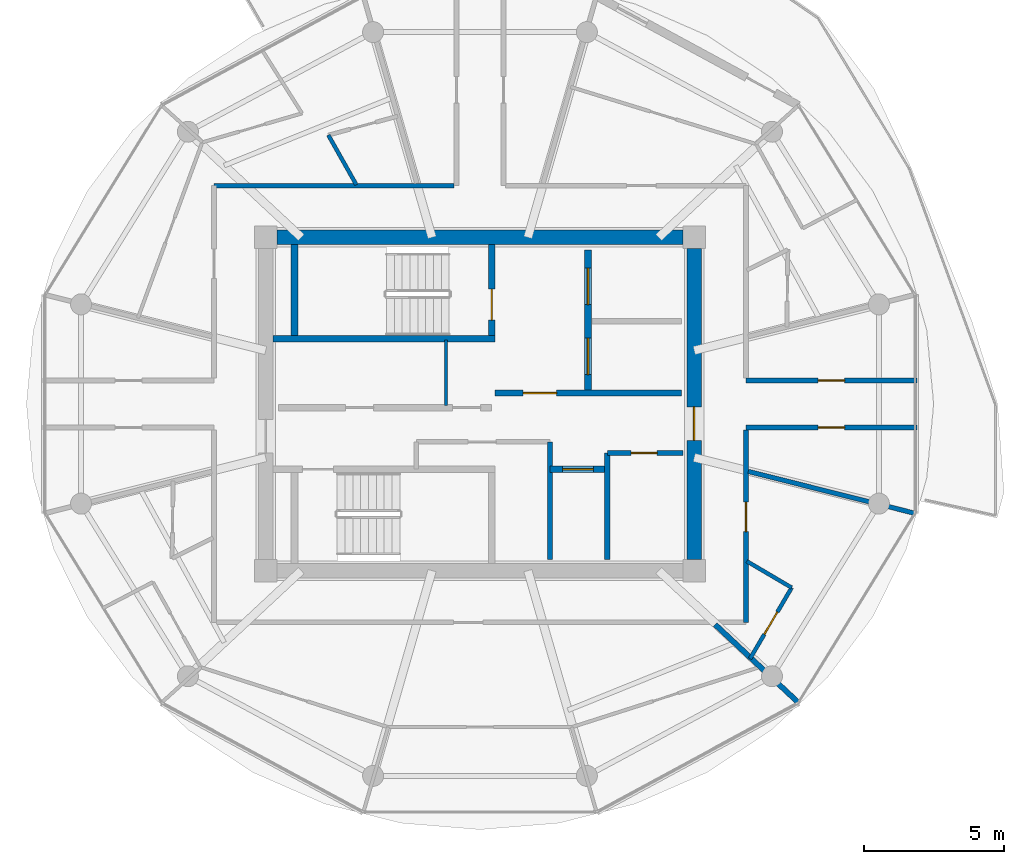
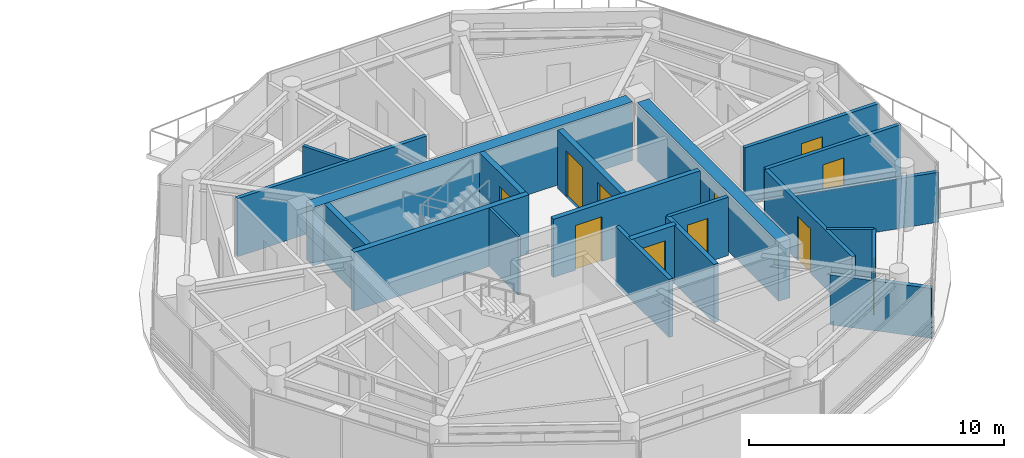
# One storey, part 13 of 19: 21 walls, 11 doors, 11 openings.
"""IFC4 building model written with IfcOpenShell, lengths in metres."""

from ifc_helpers import new_model, si_unit, direction, frame, frame_2d, origin, place, context, subcontext, project, spatial, rectangle, extrude, source, transform, mapped, material, layer, layer_set, type_object, type_shapes, element, fill, save


model = new_model("IFC4")

# Units and contexts
model_context = context("Model", 3, precision=1e-05, world=origin(), true_north=direction((0.0, 1.0)))
body_context = subcontext(model_context, "Body", "Model", "MODEL_VIEW")
ifc_project = project(units=[si_unit("LENGTHUNIT", "METRE"), si_unit("AREAUNIT", "SQUARE_METRE"), si_unit("VOLUMEUNIT", "CUBIC_METRE"), si_unit("PLANEANGLEUNIT", "RADIAN"), si_unit("MASSUNIT", "GRAM", prefix="KILO")], contexts=[model_context])

# Site, building, storey
site_placement = place(None, origin())
site = spatial("IfcSite", under=ifc_project, at=site_placement, CompositionType="ELEMENT")
building_placement = place(site_placement, origin())
building = spatial("IfcBuilding", under=site, at=building_placement, Name="Norrkilde Senior Care Towers", CompositionType="ELEMENT")
storey_placement = place(building_placement, frame((0.0, 0.0, 235.25)))
storey = spatial("IfcBuildingStorey", under=building, at=storey_placement, Name="L73", CompositionType="ELEMENT", Elevation=235.25)

# Wall
ifc_material_1 = material(Name="Concrete C50/60", Category="concrete")
ifc_layer_1 = layer(ifc_material_1, 0.52001953125)
ifc_layer_set_1 = layer_set([ifc_layer_1], Name="Concrete C50/60")
wall_type_1 = type_object("IfcWallType", Name="Core Shear Wall Z4 520", PredefinedType="SHEAR", material=ifc_layer_set_1)
shared_shape_1 = source(origin(), body_context, "Body", "SweptSolid", [
    extrude(rectangle(XDim=14.5, YDim=0.52001953125, at=frame_2d((7.25, 0.0))), origin(), (0.0, 0.0, 1.0), 2.81005859375),
])
wall_1_placement = place(storey_placement, frame((20.75, 5.949951171875, 0.0), z_axis=(0.0, 0.0, 1.0), x_axis=(1.0, 0.0, 0.0)))
element("IfcWall", 1, at=wall_1_placement, inside=storey, type_object=wall_type_1, Name="L73 Core E North Shear Wall", PredefinedType="SHEAR", context=body_context, shape_type="MappedRepresentation", body=[
    mapped(shared_shape_1, transform((0.0, 0.0, 0.0), x_axis=(1.0, 0.0, 0.0), y_axis=(0.0, 1.0, 0.0), z_axis=(0.0, 0.0, 1.0), scale=1.0)),
])

# Wall, opening, door
shared_shape_2 = source(origin(), body_context, "Body", "SweptSolid", [
    extrude(rectangle(XDim=11.10009765625, YDim=0.52001953125, at=frame_2d((5.550048828125, 0.0))), origin(), (0.0, 0.0, 1.0), 2.81005859375),
])
type_shapes(wall_type_1, [shared_shape_1, shared_shape_2])
wall_2_placement = place(storey_placement, frame((35.64990234375, 5.550048828125, 0.0), z_axis=(0.0, 0.0, 1.0), x_axis=(0.0, -1.0, 0.0)))
wall_2 = element("IfcWall", 2, at=wall_2_placement, inside=storey, type_object=wall_type_1, Name="L73 Core E East Shear Wall", PredefinedType="SHEAR", context=body_context, shape_type="MappedRepresentation", body=[
    mapped(shared_shape_2, transform((0.0, 0.0, 0.0), x_axis=(1.0, 0.0, 0.0), y_axis=(0.0, 1.0, 0.0), z_axis=(0.0, 0.0, 1.0), scale=1.0)),
])
opening_1_placement = place(wall_2_placement, frame((5.64990234375, 0.0, 0.0)))
opening_1 = element("IfcOpeningElement", 3, at=opening_1_placement, cuts=wall_2, Name="Opening D-04", PredefinedType="OPENING", context=body_context, shape_type="SweptSolid", body=[
    extrude(rectangle(XDim=1.199951171875, YDim=2.14990234375, at=frame_2d((0.60009765625, 1.074951171875))), frame((0.0, 0.27001953125, 0.0), z_axis=(0.0, -1.0, 0.0), x_axis=(1.0, 0.0, 0.0)), (0.0, 0.0, 1.0), 0.5400390625),
])
ifc_material_2 = material(Name="Galvanised Painted Steel", Category="steel")
door_type_1 = type_object("IfcDoorType", Name="Firefighting Lobby Fire Door 1200x2150", OperationType="NOTDEFINED", PredefinedType="DOOR", material=ifc_material_2)
shared_shape_3 = source(origin(), body_context, "Body", "SweptSolid", [
    extrude(rectangle(XDim=1.199951171875, YDim=2.14990234375, at=frame_2d((0.60009765625, 1.074951171875))), frame((0.0, 0.02490234375, 0.0), z_axis=(0.0, -1.0, 0.0), x_axis=(1.0, 0.0, 0.0)), (0.0, 0.0, 1.0), 0.050048828125),
])
type_shapes(door_type_1, [shared_shape_3])
door_1_placement = place(opening_1_placement, frame((1.199951171875, 0.0, 0.0), z_axis=(0.0, 0.0, 1.0), x_axis=(-1.0, 0.0, 0.0)))
door_1 = element("IfcDoor", 4, at=door_1_placement, inside=storey, type_object=door_type_1, Name="L73 Core E East Portal Door", OperationType="SINGLE_SWING_RIGHT", OverallHeight=2.14990234375, OverallWidth=1.199951171875, PredefinedType="DOOR", context=body_context, shape_type="MappedRepresentation", body=[
    mapped(shared_shape_3, transform((0.0, 0.0, 0.0), x_axis=(1.0, 0.0, 0.0), y_axis=(0.0, 1.0, 0.0), z_axis=(0.0, 0.0, 1.0), scale=1.0)),
])
fill(opening_1, door_1)

# Wall, openings, doors
ifc_material_3 = material(Name="Concrete C45/55", Category="concrete")
ifc_layer_2 = layer(ifc_material_3, 0.239990234375)
ifc_layer_set_2 = layer_set([ifc_layer_2], Name="Concrete C45/55")
wall_type_2 = type_object("IfcWallType", Name="Lift and Plant Rated Enclosure Partition 240", PredefinedType="PARTITIONING", material=ifc_layer_set_2)
shared_shape_4 = source(origin(), body_context, "Body", "SweptSolid", [
    extrude(rectangle(XDim=5.0, YDim=0.239990234375, at=frame_2d((2.5, 0.0))), origin(), (0.0, 0.0, 1.0), 2.794921875),
])
wall_3_placement = place(storey_placement, frame((31.860107421875, 0.5, 0.0), z_axis=(0.0, 0.0, 1.0), x_axis=(0.0, 1.0, 0.0)))
wall_3 = element("IfcWall", 5, at=wall_3_placement, inside=storey, type_object=wall_type_2, Name="WL-INT-L73-E-FFLE", PredefinedType="PARTITIONING", context=body_context, shape_type="MappedRepresentation", body=[
    mapped(shared_shape_4, transform((0.0, 0.0, 0.0), x_axis=(1.0, 0.0, 0.0), y_axis=(0.0, 1.0, 0.0), z_axis=(0.0, 0.0, 1.0), scale=1.0)),
])
opening_2_placement = place(wall_3_placement, frame((3.050048828125, 0.0, 0.0)))
opening_2 = element("IfcOpeningElement", 6, at=opening_2_placement, cuts=wall_3, Name="Opening LD-02", PredefinedType="OPENING", context=body_context, shape_type="SweptSolid", body=[
    extrude(rectangle(XDim=1.300048828125, YDim=2.199951171875, at=frame_2d((0.64990234375, 1.10009765625))), frame((0.0, 0.1298828125, 0.0), z_axis=(0.0, -1.0, 0.0), x_axis=(1.0, 0.0, 0.0)), (0.0, 0.0, 1.0), 0.260009765625),
])
opening_3_placement = place(wall_3_placement, frame((0.550048828125, 0.0, 0.0)))
opening_3 = element("IfcOpeningElement", 7, at=opening_3_placement, cuts=wall_3, Name="Opening LD-02", PredefinedType="OPENING", context=body_context, shape_type="SweptSolid", body=[
    extrude(rectangle(XDim=1.300048828125, YDim=2.199951171875, at=frame_2d((0.64990234375, 1.10009765625))), frame((0.0, 0.1298828125, 0.0), z_axis=(0.0, -1.0, 0.0), x_axis=(1.0, 0.0, 0.0)), (0.0, 0.0, 1.0), 0.260009765625),
])
ifc_material_4 = material(Name="Stainless Steel", Category="steel")
door_type_2 = type_object("IfcDoorType", Name="Stretcher and FFL Landing Sliding Door 1300x2200", OperationType="NOTDEFINED", PredefinedType="DOOR", material=ifc_material_4)
shared_shape_5 = source(origin(), body_context, "Body", "SweptSolid", [
    extrude(rectangle(XDim=1.300048828125, YDim=2.199951171875, at=frame_2d((0.64990234375, 1.10009765625))), frame((0.0, 0.02490234375, 0.0), z_axis=(0.0, -1.0, 0.0), x_axis=(1.0, 0.0, 0.0)), (0.0, 0.0, 1.0), 0.050048828125),
])
type_shapes(door_type_2, [shared_shape_5])
door_2_placement = place(opening_2_placement, origin())
door_2 = element("IfcDoor", 8, at=door_2_placement, inside=storey, type_object=door_type_2, Name="L73 Firefighting Lift E1 Landing Door", OperationType="SLIDING_TO_LEFT", OverallHeight=2.199951171875, OverallWidth=1.300048828125, PredefinedType="DOOR", context=body_context, shape_type="MappedRepresentation", body=[
    mapped(shared_shape_5, transform((0.0, 0.0, 0.0), x_axis=(1.0, 0.0, 0.0), y_axis=(0.0, 1.0, 0.0), z_axis=(0.0, 0.0, 1.0), scale=1.0)),
])
fill(opening_2, door_2)
door_3_placement = place(opening_3_placement, origin())
door_3 = element("IfcDoor", 9, at=door_3_placement, inside=storey, type_object=door_type_2, Name="L73 Stretcher Lift E1 Landing Door", OperationType="SLIDING_TO_RIGHT", OverallHeight=2.199951171875, OverallWidth=1.300048828125, PredefinedType="DOOR", context=body_context, shape_type="MappedRepresentation", body=[
    mapped(shared_shape_5, transform((0.0, 0.0, 0.0), x_axis=(1.0, 0.0, 0.0), y_axis=(0.0, 1.0, 0.0), z_axis=(0.0, 0.0, 1.0), scale=1.0)),
])
fill(opening_3, door_3)

# Wall, opening, door
ifc_layer_3 = layer(ifc_material_3, 0.2099609375)
ifc_layer_set_3 = layer_set([ifc_layer_3], Name="Concrete C45/55")
wall_type_3 = type_object("IfcWallType", Name="Firefighting Lobby Wall 210", PredefinedType="PARTITIONING", material=ifc_layer_set_3)
shared_shape_6 = source(origin(), body_context, "Body", "SweptSolid", [
    extrude(rectangle(XDim=6.659912109375, YDim=0.2099609375, at=frame_2d((3.330078125, 0.0))), origin(), (0.0, 0.0, 1.0), 2.794921875),
])
type_shapes(wall_type_3, [shared_shape_6])
wall_4_placement = place(storey_placement, frame((28.5400390625, 0.389892578125, 0.0), z_axis=(0.0, 0.0, 1.0), x_axis=(1.0, 0.0, 0.0)))
wall_4 = element("IfcWall", 10, at=wall_4_placement, inside=storey, type_object=wall_type_3, Name="WL-INT-L73-E-FFLS", PredefinedType="PARTITIONING", context=body_context, shape_type="MappedRepresentation", body=[
    mapped(shared_shape_6, transform((0.0, 0.0, 0.0), x_axis=(1.0, 0.0, 0.0), y_axis=(0.0, 1.0, 0.0), z_axis=(0.0, 0.0, 1.0), scale=1.0)),
])
opening_4_placement = place(wall_4_placement, frame((1.0, 0.0, 0.0)))
opening_4 = element("IfcOpeningElement", 11, at=opening_4_placement, cuts=wall_4, Name="Opening D-04", PredefinedType="OPENING", context=body_context, shape_type="SweptSolid", body=[
    extrude(rectangle(XDim=1.199951171875, YDim=2.14990234375, at=frame_2d((0.60009765625, 1.074951171875))), frame((0.0, 0.114990234375, 0.0), z_axis=(0.0, -1.0, 0.0), x_axis=(1.0, 0.0, 0.0)), (0.0, 0.0, 1.0), 0.22998046875),
])
door_4_placement = place(opening_4_placement, frame((1.199951171875, 0.0, 0.0), z_axis=(0.0, 0.0, 1.0), x_axis=(-1.0, 0.0, 0.0)))
door_4 = element("IfcDoor", 12, at=door_4_placement, inside=storey, type_object=door_type_1, Name="L73 Firefighting Lobby E Door", OperationType="SINGLE_SWING_LEFT", OverallHeight=2.14990234375, OverallWidth=1.199951171875, PredefinedType="DOOR", context=body_context, shape_type="MappedRepresentation", body=[
    mapped(shared_shape_3, transform((0.0, 0.0, 0.0), x_axis=(1.0, 0.0, 0.0), y_axis=(0.0, 1.0, 0.0), z_axis=(0.0, 0.0, 1.0), scale=1.0)),
])
fill(opening_4, door_4)

# Walls
ifc_material_5 = material(Name="Gypsum Acoustic Board")
ifc_layer_4 = layer(ifc_material_5, 0.114990234375)
ifc_layer_set_4 = layer_set([ifc_layer_4], Name="Gypsum Acoustic Board")
wall_type_4 = type_object("IfcWallType", Name="Internal Room Partition 115", PredefinedType="PARTITIONING", material=ifc_layer_set_4)
shared_shape_7 = source(origin(), body_context, "Body", "SweptSolid", [
    extrude(rectangle(XDim=2.330078125, YDim=0.114990234375, at=frame_2d((1.1650390625, 0.0))), origin(), (0.0, 0.0, 1.0), 2.794921875),
])
type_shapes(wall_type_4, [shared_shape_7])
wall_5_placement = place(storey_placement, frame((26.7900390625, -0.050048828125, 0.0), z_axis=(0.0, 0.0, 1.0), x_axis=(0.0, 1.0, 0.0)))
element("IfcWall", 13, at=wall_5_placement, inside=storey, type_object=wall_type_4, Name="WL-INT-L73-E-RISW", PredefinedType="PARTITIONING", context=body_context, shape_type="MappedRepresentation", body=[
    mapped(shared_shape_7, transform((0.0, 0.0, 0.0), x_axis=(1.0, 0.0, 0.0), y_axis=(0.0, 1.0, 0.0), z_axis=(0.0, 0.0, 1.0), scale=1.0)),
])
ifc_layer_5 = layer(ifc_material_3, 0.199951171875)
ifc_layer_set_5 = layer_set([ifc_layer_5], Name="Concrete C45/55")
wall_type_5 = type_object("IfcWallType", Name="Shaft Division and Plant Partition 200", PredefinedType="PARTITIONING", material=ifc_layer_set_5)
shared_shape_8 = source(origin(), body_context, "Body", "SweptSolid", [
    extrude(rectangle(XDim=3.800048828125, YDim=0.199951171875, at=frame_2d((1.89990234375, 0.0))), origin(), (0.0, 0.0, 1.0), 2.794921875),
])
type_shapes(wall_type_5, [shared_shape_8])
wall_6_placement = place(storey_placement, frame((32.550048828125, -5.550048828125, 0.0), z_axis=(0.0, 0.0, 1.0), x_axis=(0.0, 1.0, 0.0)))
element("IfcWall", 14, at=wall_6_placement, inside=storey, type_object=wall_type_5, Name="WL-INT-L73-E-PKBE", PredefinedType="PARTITIONING", context=body_context, shape_type="MappedRepresentation", body=[
    mapped(shared_shape_8, transform((0.0, 0.0, 0.0), x_axis=(1.0, 0.0, 0.0), y_axis=(0.0, 1.0, 0.0), z_axis=(0.0, 0.0, 1.0), scale=1.0)),
])

# Wall, opening, door
ifc_layer_6 = layer(ifc_material_5, 0.1650390625)
ifc_layer_set_6 = layer_set([ifc_layer_6], Name="Gypsum Acoustic Board")
wall_type_6 = type_object("IfcWallType", Name="Corridor Rated Partition 165", PredefinedType="PARTITIONING", material=ifc_layer_set_6)
shared_shape_9 = source(origin(), body_context, "Body", "SweptSolid", [
    extrude(rectangle(XDim=2.699951171875, YDim=0.1650390625, at=frame_2d((1.35009765625, 0.0))), origin(), (0.0, 0.0, 1.0), 2.794921875),
])
wall_7_placement = place(storey_placement, frame((32.550048828125, -1.75, 0.0), z_axis=(0.0, 0.0, 1.0), x_axis=(1.0, 0.0, 0.0)))
wall_7 = element("IfcWall", 15, at=wall_7_placement, inside=storey, type_object=wall_type_6, Name="WL-INT-L73-E-CSN", PredefinedType="PARTITIONING", context=body_context, shape_type="MappedRepresentation", body=[
    mapped(shared_shape_9, transform((0.0, 0.0, 0.0), x_axis=(1.0, 0.0, 0.0), y_axis=(0.0, 1.0, 0.0), z_axis=(0.0, 0.0, 1.0), scale=1.0)),
])
opening_5_placement = place(wall_7_placement, frame((0.85009765625, 0.0, 0.0)))
opening_5 = element("IfcOpeningElement", 16, at=opening_5_placement, cuts=wall_7, Name="Opening D-12", PredefinedType="OPENING", context=body_context, shape_type="SweptSolid", body=[
    extrude(rectangle(XDim=0.925048828125, YDim=2.10009765625, at=frame_2d((0.46240234375, 1.050048828125))), frame((0.0, 0.092529296875, 0.0), z_axis=(0.0, -1.0, 0.0), x_axis=(1.0, 0.0, 0.0)), (0.0, 0.0, 1.0), 0.18505859375),
])
door_type_3 = type_object("IfcDoorType", Name="Core Wet Room Rated Door 925x2100", OperationType="NOTDEFINED", PredefinedType="DOOR", material=ifc_material_2)
shared_shape_10 = source(origin(), body_context, "Body", "SweptSolid", [
    extrude(rectangle(XDim=0.925048828125, YDim=2.10009765625, at=frame_2d((0.46240234375, 1.050048828125))), frame((0.0, 0.02490234375, 0.0), z_axis=(0.0, -1.0, 0.0), x_axis=(1.0, 0.0, 0.0)), (0.0, 0.0, 1.0), 0.050048828125),
])
type_shapes(door_type_3, [shared_shape_10])
door_5_placement = place(opening_5_placement, origin())
door_5 = element("IfcDoor", 17, at=door_5_placement, inside=storey, type_object=door_type_3, Name="L73 Core Utility E Door", OperationType="SINGLE_SWING_LEFT", OverallHeight=2.10009765625, OverallWidth=0.925048828125, PredefinedType="DOOR", context=body_context, shape_type="MappedRepresentation", body=[
    mapped(shared_shape_10, transform((0.0, 0.0, 0.0), x_axis=(1.0, 0.0, 0.0), y_axis=(0.0, 1.0, 0.0), z_axis=(0.0, 0.0, 1.0), scale=1.0)),
])
fill(opening_5, door_5)

shared_shape_11 = source(origin(), body_context, "Body", "SweptSolid", [
    extrude(rectangle(XDim=2.050048828125, YDim=0.239990234375, at=frame_2d((1.02490234375, 0.0))), origin(), (0.0, 0.0, 1.0), 2.794921875),
])
type_shapes(wall_type_2, [shared_shape_4, shared_shape_11])
wall_8_placement = place(storey_placement, frame((30.5, -2.330078125, 0.0), z_axis=(0.0, 0.0, 1.0), x_axis=(1.0, 0.0, 0.0)))
wall_8 = element("IfcWall", 18, at=wall_8_placement, inside=storey, type_object=wall_type_2, Name="WL-INT-L73-E-PL4N", PredefinedType="PARTITIONING", context=body_context, shape_type="MappedRepresentation", body=[
    mapped(shared_shape_11, transform((0.0, 0.0, 0.0), x_axis=(1.0, 0.0, 0.0), y_axis=(0.0, 1.0, 0.0), z_axis=(0.0, 0.0, 1.0), scale=1.0)),
])
opening_6_placement = place(wall_8_placement, frame((0.449951171875, 0.0, 0.0)))
opening_6 = element("IfcOpeningElement", 19, at=opening_6_placement, cuts=wall_8, Name="Opening LD-01", PredefinedType="OPENING", context=body_context, shape_type="SweptSolid", body=[
    extrude(rectangle(XDim=1.10009765625, YDim=2.199951171875, at=frame_2d((0.550048828125, 1.10009765625))), frame((0.0, 0.1298828125, 0.0), z_axis=(0.0, -1.0, 0.0), x_axis=(1.0, 0.0, 0.0)), (0.0, 0.0, 1.0), 0.260009765625),
])
door_type_4 = type_object("IfcDoorType", Name="Lift Landing Sliding Door 1100x2200", OperationType="NOTDEFINED", PredefinedType="DOOR", material=ifc_material_4)
shared_shape_12 = source(origin(), body_context, "Body", "SweptSolid", [
    extrude(rectangle(XDim=1.10009765625, YDim=2.199951171875, at=frame_2d((0.550048828125, 1.10009765625))), frame((0.0, 0.02490234375, 0.0), z_axis=(0.0, -1.0, 0.0), x_axis=(1.0, 0.0, 0.0)), (0.0, 0.0, 1.0), 0.050048828125),
])
type_shapes(door_type_4, [shared_shape_12])
door_6_placement = place(opening_6_placement, frame((1.10009765625, 0.0, 0.0), z_axis=(0.0, 0.0, 1.0), x_axis=(-1.0, 0.0, 0.0)))
door_6 = element("IfcDoor", 20, at=door_6_placement, inside=storey, type_object=door_type_4, Name="L73 Passenger Lift E4 Landing Door", OperationType="SLIDING_TO_RIGHT", OverallHeight=2.199951171875, OverallWidth=1.10009765625, PredefinedType="DOOR", context=body_context, shape_type="MappedRepresentation", body=[
    mapped(shared_shape_12, transform((0.0, 0.0, 0.0), x_axis=(1.0, 0.0, 0.0), y_axis=(0.0, 1.0, 0.0), z_axis=(0.0, 0.0, 1.0), scale=1.0)),
])
fill(opening_6, door_6)

# Walls
ifc_layer_7 = layer(ifc_material_3, 0.179931640625)
ifc_layer_set_7 = layer_set([ifc_layer_7], Name="Concrete C45/55")
wall_type_7 = type_object("IfcWallType", Name="Hoistway Division Rated Partition 180", PredefinedType="PARTITIONING", material=ifc_layer_set_7)
shared_shape_13 = source(origin(), body_context, "Body", "SweptSolid", [
    extrude(rectangle(XDim=4.199951171875, YDim=0.179931640625, at=frame_2d((2.10009765625, 0.0))), origin(), (0.0, 0.0, 1.0), 2.794921875),
])
type_shapes(wall_type_7, [shared_shape_13])
wall_9_placement = place(storey_placement, frame((30.5, -5.550048828125, 0.0), z_axis=(0.0, 0.0, 1.0), x_axis=(0.0, 1.0, 0.0)))
element("IfcWall", 21, at=wall_9_placement, inside=storey, type_object=wall_type_7, Name="WL-INT-L73-E-PL4W", PredefinedType="PARTITIONING", context=body_context, shape_type="MappedRepresentation", body=[
    mapped(shared_shape_13, transform((0.0, 0.0, 0.0), x_axis=(1.0, 0.0, 0.0), y_axis=(0.0, 1.0, 0.0), z_axis=(0.0, 0.0, 1.0), scale=1.0)),
])
shared_shape_14 = source(origin(), body_context, "Body", "SweptSolid", [
    extrude(rectangle(XDim=8.580078125, YDim=0.1650390625, at=frame_2d((4.2900390625, 0.0))), origin(), (0.0, 0.0, 1.0), 2.794921875),
])
wall_10_placement = place(storey_placement, frame((18.5, 7.800048828125, 0.0), z_axis=(0.0, 0.0, 1.0), x_axis=(1.0, 0.0, 0.0)))
element("IfcWall", 22, at=wall_10_placement, inside=storey, type_object=wall_type_6, Name="WL-INT-L73-E-CRW-N-0", PredefinedType="PARTITIONING", context=body_context, shape_type="MappedRepresentation", body=[
    mapped(shared_shape_14, transform((0.0, 0.0, 0.0), x_axis=(1.0, 0.0, 0.0), y_axis=(0.0, 1.0, 0.0), z_axis=(0.0, 0.0, 1.0), scale=1.0)),
])

# Wall, opening, door
shared_shape_15 = source(origin(), body_context, "Body", "SweptSolid", [
    extrude(rectangle(XDim=6.880126953125, YDim=0.1650390625, at=frame_2d((3.43994140625, 0.0))), origin(), (0.0, 0.0, 1.0), 2.794921875),
])
wall_11_placement = place(storey_placement, frame((37.5, -0.919921875, 0.0), z_axis=(0.0, 0.0, 1.0), x_axis=(0.0, -1.0, 0.0)))
wall_11 = element("IfcWall", 23, at=wall_11_placement, inside=storey, type_object=wall_type_6, Name="WL-INT-L73-E-CRW-E-1", PredefinedType="PARTITIONING", context=body_context, shape_type="MappedRepresentation", body=[
    mapped(shared_shape_15, transform((0.0, 0.0, 0.0), x_axis=(1.0, 0.0, 0.0), y_axis=(0.0, 1.0, 0.0), z_axis=(0.0, 0.0, 1.0), scale=1.0)),
])
opening_7_placement = place(wall_11_placement, frame((2.5859375, 0.0, 0.0)))
opening_7 = element("IfcOpeningElement", 24, at=opening_7_placement, cuts=wall_11, Name="Opening D-06", PredefinedType="OPENING", context=body_context, shape_type="SweptSolid", body=[
    extrude(rectangle(XDim=1.050048828125, YDim=2.14990234375, at=frame_2d((0.52490234375, 1.074951171875))), frame((0.0, 0.092529296875, 0.0), z_axis=(0.0, -1.0, 0.0), x_axis=(1.0, 0.0, 0.0)), (0.0, 0.0, 1.0), 0.18505859375),
])
ifc_material_6 = material(Name="Nordic Ash Timber", Category="wood")
door_type_5 = type_object("IfcDoorType", Name="Apartment Entrance Fire Door 1050x2150", OperationType="NOTDEFINED", PredefinedType="DOOR", material=ifc_material_6)
shared_shape_16 = source(origin(), body_context, "Body", "SweptSolid", [
    extrude(rectangle(XDim=1.050048828125, YDim=2.14990234375, at=frame_2d((0.52490234375, 1.074951171875))), frame((0.0, 0.02490234375, 0.0), z_axis=(0.0, -1.0, 0.0), x_axis=(1.0, 0.0, 0.0)), (0.0, 0.0, 1.0), 0.050048828125),
])
type_shapes(door_type_5, [shared_shape_16])
door_7_placement = place(opening_7_placement, frame((1.050048828125, 0.0, 0.0), z_axis=(0.0, 0.0, 1.0), x_axis=(-1.0, 0.0, 0.0)))
door_7 = element("IfcDoor", 25, at=door_7_placement, inside=storey, type_object=door_type_5, Name="L73 Studio 73D Entrance Door", OperationType="SINGLE_SWING_RIGHT", OverallHeight=2.14990234375, OverallWidth=1.050048828125, PredefinedType="DOOR", context=body_context, shape_type="MappedRepresentation", body=[
    mapped(shared_shape_16, transform((0.0, 0.0, 0.0), x_axis=(1.0, 0.0, 0.0), y_axis=(0.0, 1.0, 0.0), z_axis=(0.0, 0.0, 1.0), scale=1.0)),
])
fill(opening_7, door_7)

# Walls
ifc_layer_8 = layer(ifc_material_3, 0.239990234375)
ifc_layer_set_8 = layer_set([ifc_layer_8], Name="Concrete C45/55")
wall_type_8 = type_object("IfcWallType", Name="Shaft and Stair Enclosure Wall 240", PredefinedType="PARTITIONING", material=ifc_layer_set_8)
shared_shape_17 = source(origin(), body_context, "Body", "SweptSolid", [
    extrude(rectangle(XDim=7.929931640625, YDim=0.239990234375, at=frame_2d((3.96484375, 0.0))), origin(), (0.0, 0.0, 1.0), 2.81005859375),
])
wall_12_placement = place(storey_placement, frame((20.610107421875, 2.330078125, 0.0), z_axis=(0.0, 0.0, 1.0), x_axis=(1.0, 0.0, 0.0)))
element("IfcWall", 26, at=wall_12_placement, inside=storey, type_object=wall_type_8, Name="WL-INT-L73-E-ST1S", PredefinedType="PARTITIONING", context=body_context, shape_type="MappedRepresentation", body=[
    mapped(shared_shape_17, transform((0.0, 0.0, 0.0), x_axis=(1.0, 0.0, 0.0), y_axis=(0.0, 1.0, 0.0), z_axis=(0.0, 0.0, 1.0), scale=1.0)),
])
shared_shape_18 = source(origin(), body_context, "Body", "SweptSolid", [
    extrude(rectangle(XDim=3.239990234375, YDim=0.239990234375, at=frame_2d((1.6201171875, 0.0))), origin(), (0.0, 0.0, 1.0), 2.81005859375),
])
type_shapes(wall_type_8, [shared_shape_17, shared_shape_18])
wall_13_placement = place(storey_placement, frame((21.3798828125, 2.449951171875, 0.0), z_axis=(0.0, 0.0, 1.0), x_axis=(0.0, 1.0, 0.0)))
element("IfcWall", 27, at=wall_13_placement, inside=storey, type_object=wall_type_8, Name="WL-INT-L73-E-ST1W", PredefinedType="PARTITIONING", context=body_context, shape_type="MappedRepresentation", body=[
    mapped(shared_shape_18, transform((0.0, 0.0, 0.0), x_axis=(1.0, 0.0, 0.0), y_axis=(0.0, 1.0, 0.0), z_axis=(0.0, 0.0, 1.0), scale=1.0)),
])

# Wall, opening, door
wall_14_placement = place(storey_placement, frame((28.419921875, 2.449951171875, 0.0), z_axis=(0.0, 0.0, 1.0), x_axis=(0.0, 1.0, 0.0)))
wall_14 = element("IfcWall", 28, at=wall_14_placement, inside=storey, type_object=wall_type_8, Name="WL-INT-L73-E-ST1E", PredefinedType="PARTITIONING", context=body_context, shape_type="MappedRepresentation", body=[
    mapped(shared_shape_18, transform((0.0, 0.0, 0.0), x_axis=(1.0, 0.0, 0.0), y_axis=(0.0, 1.0, 0.0), z_axis=(0.0, 0.0, 1.0), scale=1.0)),
])
opening_8_placement = place(wall_14_placement, frame((0.550048828125, 0.0, 0.0)))
opening_8 = element("IfcOpeningElement", 29, at=opening_8_placement, cuts=wall_14, Name="Opening D-03", PredefinedType="OPENING", context=body_context, shape_type="SweptSolid", body=[
    extrude(rectangle(XDim=1.10009765625, YDim=2.14990234375, at=frame_2d((0.550048828125, 1.074951171875))), frame((0.0, 0.1298828125, 0.0), z_axis=(0.0, -1.0, 0.0), x_axis=(1.0, 0.0, 0.0)), (0.0, 0.0, 1.0), 0.260009765625),
])
door_type_6 = type_object("IfcDoorType", Name="Stairwell Protected Fire Door 1100x2150", OperationType="NOTDEFINED", PredefinedType="DOOR", material=ifc_material_2)
shared_shape_19 = source(origin(), body_context, "Body", "SweptSolid", [
    extrude(rectangle(XDim=1.10009765625, YDim=2.14990234375, at=frame_2d((0.550048828125, 1.074951171875))), frame((0.0, 0.02490234375, 0.0), z_axis=(0.0, -1.0, 0.0), x_axis=(1.0, 0.0, 0.0)), (0.0, 0.0, 1.0), 0.050048828125),
])
type_shapes(door_type_6, [shared_shape_19])
door_8_placement = place(opening_8_placement, origin())
door_8 = element("IfcDoor", 30, at=door_8_placement, inside=storey, type_object=door_type_6, Name="L73 Stair E1 Fire Door", OperationType="SINGLE_SWING_LEFT", OverallHeight=2.14990234375, OverallWidth=1.10009765625, PredefinedType="DOOR", context=body_context, shape_type="MappedRepresentation", body=[
    mapped(shared_shape_19, transform((0.0, 0.0, 0.0), x_axis=(1.0, 0.0, 0.0), y_axis=(0.0, 1.0, 0.0), z_axis=(0.0, 0.0, 1.0), scale=1.0)),
])
fill(opening_8, door_8)

# Walls
shared_shape_20 = source(origin(), body_context, "Body", "SweptSolid", [
    extrude(rectangle(XDim=6.1572265625, YDim=0.1650390625, at=frame_2d((3.07861328125, 0.0))), origin(), (0.0, 0.0, 1.0), 2.39501953125),
])
wall_15_placement = place(storey_placement, frame((37.580078125, -2.407470703125, 0.0), z_axis=(0.0, 0.0, 1.0), x_axis=(0.969840867184, -0.243738984038, 0.0)))
element("IfcWall", 31, at=wall_15_placement, inside=storey, type_object=wall_type_6, Name="WL-INT-L73-E-DEM-11-0", PredefinedType="PARTITIONING", context=body_context, shape_type="MappedRepresentation", body=[
    mapped(shared_shape_20, transform((0.0, 0.0, 0.0), x_axis=(1.0, 0.0, 0.0), y_axis=(0.0, 1.0, 0.0), z_axis=(0.0, 0.0, 1.0), scale=1.0)),
])
ifc_layer_9 = layer(ifc_material_5, 0.18994140625)
ifc_layer_set_9 = layer_set([ifc_layer_9], Name="Gypsum Acoustic Board")
wall_type_9 = type_object("IfcWallType", Name="Unit Demising Acoustic Wall 190", PredefinedType="PARTITIONING", material=ifc_layer_set_9)
shared_shape_21 = source(origin(), body_context, "Body", "SweptSolid", [
    extrude(rectangle(XDim=4.089111328125, YDim=0.18994140625, at=frame_2d((2.04443359375, 0.0))), origin(), (0.0, 0.0, 1.0), 2.39501953125),
])
type_shapes(wall_type_9, [shared_shape_21])
wall_16_placement = place(storey_placement, frame((36.40185546875, -7.8798828125, 0.0), z_axis=(0.0, 0.0, 1.0), x_axis=(0.729401273609, -0.684086092577, 0.0)))
element("IfcWall", 32, at=wall_16_placement, inside=storey, type_object=wall_type_9, Name="WL-INT-L73-E-DEM-10-0", PredefinedType="PARTITIONING", context=body_context, shape_type="MappedRepresentation", body=[
    mapped(shared_shape_21, transform((0.0, 0.0, 0.0), x_axis=(1.0, 0.0, 0.0), y_axis=(0.0, 1.0, 0.0), z_axis=(0.0, 0.0, 1.0), scale=1.0)),
])

# Wall, opening, door
shared_shape_22 = source(origin(), body_context, "Body", "SweptSolid", [
    extrude(rectangle(XDim=6.101318359375, YDim=0.1650390625, at=frame_2d((3.05078125, 0.0))), origin(), (0.0, 0.0, 1.0), 2.794921875),
])
type_shapes(wall_type_6, [shared_shape_9, shared_shape_14, shared_shape_15, shared_shape_20, shared_shape_22])
wall_17_placement = place(storey_placement, frame((37.5, 0.840087890625, 0.0), z_axis=(0.0, 0.0, 1.0), x_axis=(1.0, 0.0, 0.0)))
wall_17 = element("IfcWall", 33, at=wall_17_placement, inside=storey, type_object=wall_type_6, Name="WL-INT-L73-E-SPK-E1-0", PredefinedType="PARTITIONING", context=body_context, shape_type="MappedRepresentation", body=[
    mapped(shared_shape_22, transform((0.0, 0.0, 0.0), x_axis=(1.0, 0.0, 0.0), y_axis=(0.0, 1.0, 0.0), z_axis=(0.0, 0.0, 1.0), scale=1.0)),
])
opening_9_placement = place(wall_17_placement, frame((2.57568359375, 0.0, 0.0)))
opening_9 = element("IfcOpeningElement", 34, at=opening_9_placement, cuts=wall_17, Name="Opening D-07", PredefinedType="OPENING", context=body_context, shape_type="SweptSolid", body=[
    extrude(rectangle(XDim=0.949951171875, YDim=2.10009765625, at=frame_2d((0.47509765625, 1.050048828125))), frame((0.0, 0.092529296875, 0.0), z_axis=(0.0, -1.0, 0.0), x_axis=(1.0, 0.0, 0.0)), (0.0, 0.0, 1.0), 0.18505859375),
])
door_type_7 = type_object("IfcDoorType", Name="Internal Suite Bedroom Door 950x2100", OperationType="NOTDEFINED", PredefinedType="DOOR", material=ifc_material_6)
shared_shape_23 = source(origin(), body_context, "Body", "SweptSolid", [
    extrude(rectangle(XDim=0.949951171875, YDim=2.10009765625, at=frame_2d((0.47509765625, 1.050048828125))), frame((0.0, 0.02490234375, 0.0), z_axis=(0.0, -1.0, 0.0), x_axis=(1.0, 0.0, 0.0)), (0.0, 0.0, 1.0), 0.050048828125),
])
type_shapes(door_type_7, [shared_shape_23])
door_9_placement = place(opening_9_placement, frame((0.949951171875, 0.0, 0.0), z_axis=(0.0, 0.0, 1.0), x_axis=(-1.0, 0.0, 0.0)))
door_9 = element("IfcDoor", 35, at=door_9_placement, inside=storey, type_object=door_type_7, Name="L73 Sun Reading Lounge 6 Door", OperationType="SINGLE_SWING_LEFT", OverallHeight=2.10009765625, OverallWidth=0.949951171875, PredefinedType="DOOR", context=body_context, shape_type="MappedRepresentation", body=[
    mapped(shared_shape_23, transform((0.0, 0.0, 0.0), x_axis=(1.0, 0.0, 0.0), y_axis=(0.0, 1.0, 0.0), z_axis=(0.0, 0.0, 1.0), scale=1.0)),
])
fill(opening_9, door_9)

wall_18_placement = place(storey_placement, frame((43.601318359375, -0.840087890625, 0.0), z_axis=(0.0, 0.0, 1.0), x_axis=(-1.0, 0.0, 0.0)))
wall_18 = element("IfcWall", 36, at=wall_18_placement, inside=storey, type_object=wall_type_6, Name="WL-INT-L73-E-SPK-E2-0", PredefinedType="PARTITIONING", context=body_context, shape_type="MappedRepresentation", body=[
    mapped(shared_shape_22, transform((0.0, 0.0, 0.0), x_axis=(1.0, 0.0, 0.0), y_axis=(0.0, 1.0, 0.0), z_axis=(0.0, 0.0, 1.0), scale=1.0)),
])
opening_10_placement = place(wall_18_placement, frame((2.57568359375, 0.0, 0.0)))
opening_10 = element("IfcOpeningElement", 37, at=opening_10_placement, cuts=wall_18, Name="Opening D-07", PredefinedType="OPENING", context=body_context, shape_type="SweptSolid", body=[
    extrude(rectangle(XDim=0.949951171875, YDim=2.10009765625, at=frame_2d((0.47509765625, 1.050048828125))), frame((0.0, 0.092529296875, 0.0), z_axis=(0.0, -1.0, 0.0), x_axis=(1.0, 0.0, 0.0)), (0.0, 0.0, 1.0), 0.18505859375),
])
door_10_placement = place(opening_10_placement, frame((0.949951171875, 0.0, 0.0), z_axis=(0.0, 0.0, 1.0), x_axis=(-1.0, 0.0, 0.0)))
door_10 = element("IfcDoor", 38, at=door_10_placement, inside=storey, type_object=door_type_7, Name="L73 Sun Reading Lounge 5 Door", OperationType="SINGLE_SWING_RIGHT", OverallHeight=2.10009765625, OverallWidth=0.949951171875, PredefinedType="DOOR", context=body_context, shape_type="MappedRepresentation", body=[
    mapped(shared_shape_23, transform((0.0, 0.0, 0.0), x_axis=(1.0, 0.0, 0.0), y_axis=(0.0, 1.0, 0.0), z_axis=(0.0, 0.0, 1.0), scale=1.0)),
])
fill(opening_10, door_10)

# Walls
ifc_layer_10 = layer(ifc_material_5, 0.139892578125)
ifc_layer_set_10 = layer_set([ifc_layer_10], Name="Gypsum Acoustic Board")
wall_type_10 = type_object("IfcWallType", Name="En-suite Wet Room Wall 140", PredefinedType="PARTITIONING", material=ifc_layer_set_10)
shared_shape_24 = source(origin(), body_context, "Body", "SweptSolid", [
    extrude(rectangle(XDim=2.035400390625, YDim=0.139892578125, at=frame_2d((1.017578125, 0.0))), origin(), (0.0, 0.0, 1.0), 2.794921875),
])
wall_19_placement = place(storey_placement, frame((23.5849609375, 7.830078125, 0.0), z_axis=(0.0, 0.0, 1.0), x_axis=(-0.491092509169, 0.871107425888, 0.0)))
element("IfcWall", 39, at=wall_19_placement, inside=storey, type_object=wall_type_10, Name="WL-INT-L73-E-UBTS-03", PredefinedType="PARTITIONING", context=body_context, shape_type="MappedRepresentation", body=[
    mapped(shared_shape_24, transform((0.0, 0.0, 0.0), x_axis=(1.0, 0.0, 0.0), y_axis=(0.0, 1.0, 0.0), z_axis=(0.0, 0.0, 1.0), scale=1.0)),
])
shared_shape_25 = source(origin(), body_context, "Body", "SweptSolid", [
    extrude(rectangle(XDim=1.859130859375, YDim=0.139892578125, at=frame_2d((0.9296875, 0.0))), origin(), (0.0, 0.0, 1.0), 2.794921875),
])
wall_20_placement = place(storey_placement, frame((37.530029296875, -5.615478515625, 0.0), z_axis=(0.0, 0.0, 1.0), x_axis=(0.861555897139, -0.507662718845, 0.0)))
element("IfcWall", 40, at=wall_20_placement, inside=storey, type_object=wall_type_10, Name="WL-INT-L73-E-ES-10", PredefinedType="PARTITIONING", context=body_context, shape_type="MappedRepresentation", body=[
    mapped(shared_shape_25, transform((0.0, 0.0, 0.0), x_axis=(1.0, 0.0, 0.0), y_axis=(0.0, 1.0, 0.0), z_axis=(0.0, 0.0, 1.0), scale=1.0)),
])

# Wall, opening, door
shared_shape_26 = source(origin(), body_context, "Body", "SweptSolid", [
    extrude(rectangle(XDim=2.939453125, YDim=0.139892578125, at=frame_2d((1.4697265625, 0.0))), origin(), (0.0, 0.0, 1.0), 2.794921875),
])
type_shapes(wall_type_10, [shared_shape_24, shared_shape_25, shared_shape_26])
wall_21_placement = place(storey_placement, frame((39.1318359375, -6.559326171875, 0.0), z_axis=(0.0, 0.0, 1.0), x_axis=(-0.505883614636, -0.862601743821, 0.0)))
wall_21 = element("IfcWall", 41, at=wall_21_placement, inside=storey, type_object=wall_type_10, Name="WL-INT-L73-E-EF-10", PredefinedType="PARTITIONING", context=body_context, shape_type="MappedRepresentation", body=[
    mapped(shared_shape_26, transform((0.0, 0.0, 0.0), x_axis=(1.0, 0.0, 0.0), y_axis=(0.0, 1.0, 0.0), z_axis=(0.0, 0.0, 1.0), scale=1.0)),
])
opening_11_placement = place(wall_21_placement, frame((1.009765625, 0.0, 0.0)))
opening_11 = element("IfcOpeningElement", 42, at=opening_11_placement, cuts=wall_21, Name="Opening D-08", PredefinedType="OPENING", context=body_context, shape_type="SweptSolid", body=[
    extrude(rectangle(XDim=0.919921875, YDim=2.10009765625, at=frame_2d((0.4599609375, 1.050048828125))), frame((0.0, 0.079833984375, 0.0), z_axis=(0.0, -1.0, 0.0), x_axis=(1.0, 0.0, 0.0)), (0.0, 0.0, 1.0), 0.159912109375),
])
door_type_8 = type_object("IfcDoorType", Name="Accessible Wet Room Door 920x2100", OperationType="NOTDEFINED", PredefinedType="DOOR", material=ifc_material_6)
shared_shape_27 = source(origin(), body_context, "Body", "SweptSolid", [
    extrude(rectangle(XDim=0.919921875, YDim=2.10009765625, at=frame_2d((0.4599609375, 1.050048828125))), frame((0.0, 0.02490234375, 0.0), z_axis=(0.0, -1.0, 0.0), x_axis=(1.0, 0.0, 0.0)), (0.0, 0.0, 1.0), 0.050048828125),
])
type_shapes(door_type_8, [shared_shape_27])
door_11_placement = place(opening_11_placement, origin())
door_11 = element("IfcDoor", 43, at=door_11_placement, inside=storey, type_object=door_type_8, Name="L73 Studio 73D Bathroom Door", OperationType="SINGLE_SWING_LEFT", OverallHeight=2.10009765625, OverallWidth=0.919921875, PredefinedType="DOOR", context=body_context, shape_type="MappedRepresentation", body=[
    mapped(shared_shape_27, transform((0.0, 0.0, 0.0), x_axis=(1.0, 0.0, 0.0), y_axis=(0.0, 1.0, 0.0), z_axis=(0.0, 0.0, 1.0), scale=1.0)),
])
fill(opening_11, door_11)

save(model, "model.ifc")
